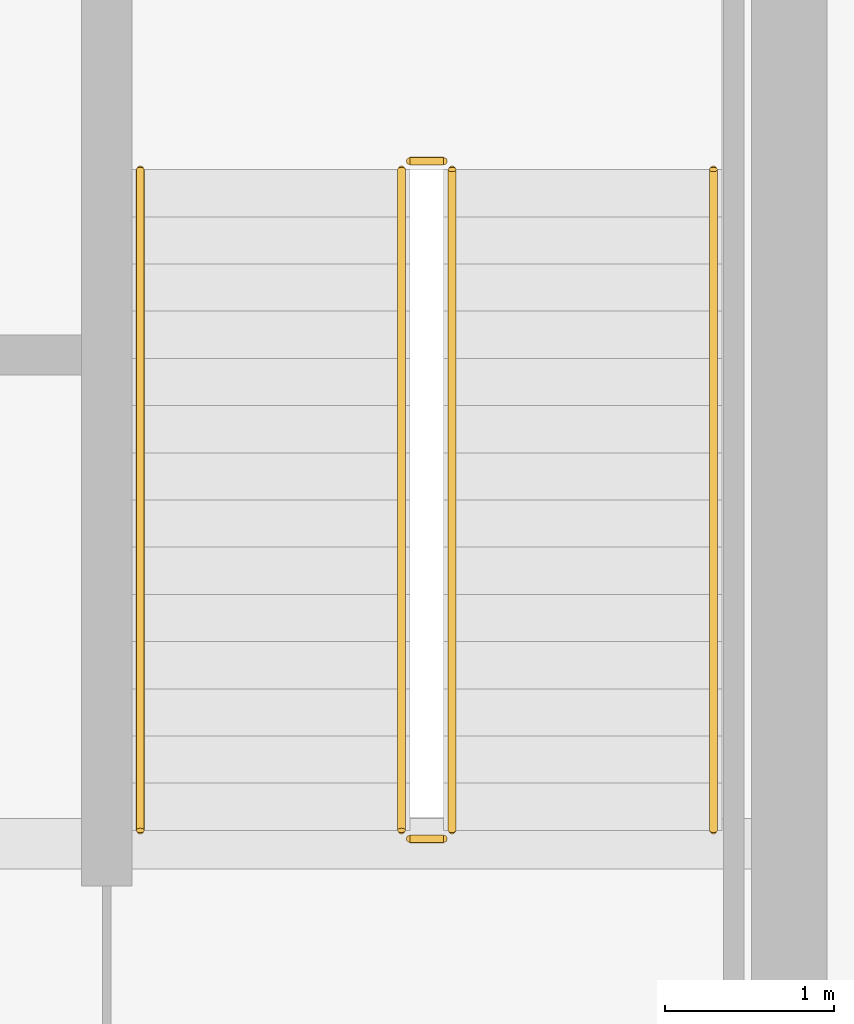
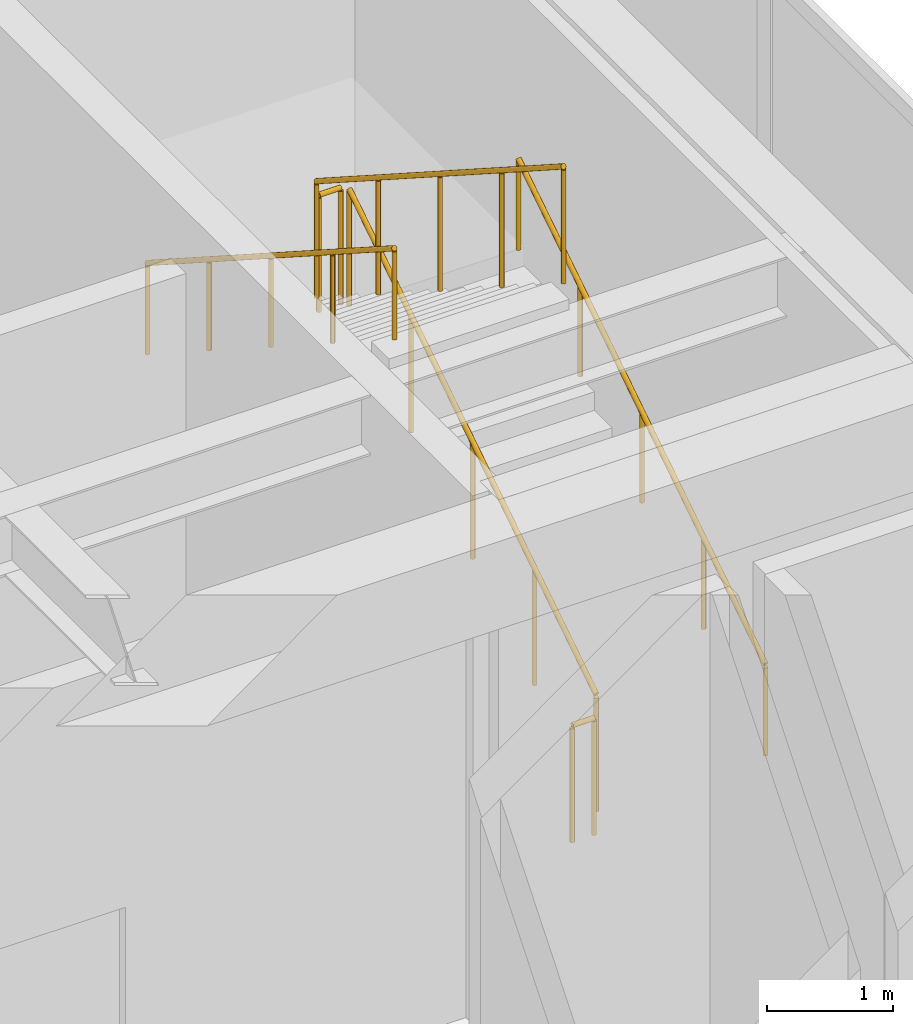
# One storey, part 29 of 30: 6 railings.
"""IFC4 building model written with IfcOpenShell, lengths in metres."""

from ifc_helpers import new_model, si_unit, direction, frame, origin, origin_2d, place, context, subcontext, project, spatial, circle, extrude, source, transform, mapped, material, type_object, type_shapes, element, save


model = new_model("IFC4")

# Units and contexts
model_context = context("Model", 3, precision=1e-05, world=origin(), true_north=direction((0.0, 1.0)))
body_context = subcontext(model_context, "Body", "Model", "MODEL_VIEW")
ifc_project = project(units=[si_unit("LENGTHUNIT", "METRE"), si_unit("AREAUNIT", "SQUARE_METRE"), si_unit("VOLUMEUNIT", "CUBIC_METRE"), si_unit("PLANEANGLEUNIT", "RADIAN"), si_unit("MASSUNIT", "GRAM", prefix="KILO")], contexts=[model_context])

# Site, building, storey
site_placement = place(None, origin())
site = spatial("IfcSite", under=ifc_project, at=site_placement, CompositionType="ELEMENT")
building_placement = place(site_placement, origin())
building = spatial("IfcBuilding", under=site, at=building_placement, Name="Haelvirn Gate Laboratories", CompositionType="ELEMENT")
storey_placement = place(building_placement, frame((0.0, 0.0, 327.0)))
storey = spatial("IfcBuildingStorey", under=building, at=storey_placement, Name="L78", CompositionType="ELEMENT", Elevation=327.0)

# Railings
ifc_material_1 = material(Name="Galvanised steel SM355 & stainless top rail", Category="steel")
railing_type_1 = type_object("IfcRailingType", Name="RL-GUARD-1150", PredefinedType="GUARDRAIL", material=ifc_material_1)
shared_shape_1 = source(origin(), body_context, "Body", "SweptSolid", [
    extrude(circle(Radius=0.02392578125, at=origin_2d()), frame((0.0, 0.0, 1.1259765625), z_axis=(0.0, 0.841186985886, 0.540744352514), x_axis=(-1.0, 0.0, 0.0)), (0.0, 0.0, 1.0), 4.660400390625),
    extrude(circle(Radius=0.02099609375, at=origin_2d()), origin(), (0.0, 0.0, 1.0), 1.101806640625),
    extrude(circle(Radius=0.02099609375, at=origin_2d()), frame((0.0, 0.97998046875, 0.6298828125)), (0.0, 0.0, 1.0), 1.101806640625),
    extrude(circle(Radius=0.02099609375, at=origin_2d()), frame((0.0, 1.9599609375, 1.260009765625)), (0.0, 0.0, 1.0), 1.101806640625),
    extrude(circle(Radius=0.02099609375, at=origin_2d()), frame((0.0, 2.940185546875, 1.89013671875)), (0.0, 0.0, 1.0), 1.101806640625),
    extrude(circle(Radius=0.02099609375, at=origin_2d()), frame((0.0, 3.920166015625, 2.52001953125)), (0.0, 0.0, 1.0), 1.101806640625),
])
railing_1_placement = place(storey_placement, frame((65.39990234375, 26.699951171875, 0.179931640625)))
element("IfcRailing", 1, at=railing_1_placement, inside=storey, type_object=railing_type_1, Name="L78 ST2 stair guard 1", PredefinedType="GUARDRAIL", context=body_context, shape_type="MappedRepresentation", body=[
    mapped(shared_shape_1, transform((0.0, 0.0, 0.0), scale=1.0)),
])
shared_shape_2 = source(origin(), body_context, "Body", "SweptSolid", [
    extrude(circle(Radius=0.02392578125, at=origin_2d()), frame((0.0, 0.0, 1.1259765625), z_axis=(0.0, -0.841186985886, 0.540744352514), x_axis=(1.0, 0.0, 0.0)), (0.0, 0.0, 1.0), 4.660400390625),
    extrude(circle(Radius=0.02099609375, at=origin_2d()), origin(), (0.0, 0.0, 1.0), 1.101806640625),
    extrude(circle(Radius=0.02099609375, at=origin_2d()), frame((0.0, -0.97998046875, 0.6298828125)), (0.0, 0.0, 1.0), 1.101806640625),
    extrude(circle(Radius=0.02099609375, at=origin_2d()), frame((0.0, -1.9599609375, 1.260009765625)), (0.0, 0.0, 1.0), 1.101806640625),
    extrude(circle(Radius=0.02099609375, at=origin_2d()), frame((0.0, -2.940185546875, 1.89013671875)), (0.0, 0.0, 1.0), 1.101806640625),
    extrude(circle(Radius=0.02099609375, at=origin_2d()), frame((0.0, -3.920166015625, 2.52001953125)), (0.0, 0.0, 1.0), 1.101806640625),
])
railing_2_placement = place(storey_placement, frame((65.10009765625, 30.6201171875, 2.8798828125)))
element("IfcRailing", 2, at=railing_2_placement, inside=storey, type_object=railing_type_1, Name="L78 ST2 stair guard 3", PredefinedType="GUARDRAIL", context=body_context, shape_type="MappedRepresentation", body=[
    mapped(shared_shape_2, transform((0.0, 0.0, 0.0), scale=1.0)),
])
ifc_material_2 = material(Name="Brushed stainless steel 316L", Category="steel")
railing_type_2 = type_object("IfcRailingType", Name="RL-HAND-920", PredefinedType="HANDRAIL", material=ifc_material_2)
shared_shape_3 = source(origin(), body_context, "Body", "SweptSolid", [
    extrude(circle(Radius=0.02392578125, at=origin_2d()), frame((0.0, 0.0, 0.8759765625), z_axis=(0.0, 0.841186985886, 0.540744352514), x_axis=(-1.0, 0.0, 0.0)), (0.0, 0.0, 1.0), 4.660400390625),
    extrude(circle(Radius=0.02099609375, at=origin_2d()), origin(), (0.0, 0.0, 1.0), 0.851806640625),
    extrude(circle(Radius=0.02099609375, at=origin_2d()), frame((0.0, 0.97998046875, 0.6298828125)), (0.0, 0.0, 1.0), 0.851806640625),
    extrude(circle(Radius=0.02099609375, at=origin_2d()), frame((0.0, 1.9599609375, 1.260009765625)), (0.0, 0.0, 1.0), 0.851806640625),
    extrude(circle(Radius=0.02099609375, at=origin_2d()), frame((0.0, 2.940185546875, 1.89013671875)), (0.0, 0.0, 1.0), 0.851806640625),
    extrude(circle(Radius=0.02099609375, at=origin_2d()), frame((0.0, 3.920166015625, 2.52001953125)), (0.0, 0.0, 1.0), 0.851806640625),
])
railing_3_placement = place(storey_placement, frame((66.949951171875, 26.699951171875, 0.179931640625)))
element("IfcRailing", 3, at=railing_3_placement, inside=storey, type_object=railing_type_2, Name="L78 ST2 stair handrail 1", PredefinedType="HANDRAIL", context=body_context, shape_type="MappedRepresentation", body=[
    mapped(shared_shape_3, transform((0.0, 0.0, 0.0), scale=1.0)),
])
shared_shape_4 = source(origin(), body_context, "Body", "SweptSolid", [
    extrude(circle(Radius=0.02392578125, at=origin_2d()), frame((0.0, 0.0, 0.8759765625), z_axis=(0.0, -0.841186985886, 0.540744352514), x_axis=(1.0, 0.0, 0.0)), (0.0, 0.0, 1.0), 4.660400390625),
    extrude(circle(Radius=0.02099609375, at=origin_2d()), origin(), (0.0, 0.0, 1.0), 0.851806640625),
    extrude(circle(Radius=0.02099609375, at=origin_2d()), frame((0.0, -0.97998046875, 0.6298828125)), (0.0, 0.0, 1.0), 0.851806640625),
    extrude(circle(Radius=0.02099609375, at=origin_2d()), frame((0.0, -1.9599609375, 1.260009765625)), (0.0, 0.0, 1.0), 0.851806640625),
    extrude(circle(Radius=0.02099609375, at=origin_2d()), frame((0.0, -2.940185546875, 1.89013671875)), (0.0, 0.0, 1.0), 0.851806640625),
    extrude(circle(Radius=0.02099609375, at=origin_2d()), frame((0.0, -3.920166015625, 2.52001953125)), (0.0, 0.0, 1.0), 0.851806640625),
])
type_shapes(railing_type_2, [shared_shape_3, shared_shape_4])
railing_4_placement = place(storey_placement, frame((63.550048828125, 30.6201171875, 2.8798828125)))
element("IfcRailing", 4, at=railing_4_placement, inside=storey, type_object=railing_type_2, Name="L78 ST2 stair handrail 2", PredefinedType="HANDRAIL", context=body_context, shape_type="MappedRepresentation", body=[
    mapped(shared_shape_4, transform((0.0, 0.0, 0.0), scale=1.0)),
])
shared_shape_5 = source(origin(), body_context, "Body", "SweptSolid", [
    extrude(circle(Radius=0.02392578125, at=origin_2d()), frame((0.0, 0.0, 1.1259765625), z_axis=(-1.0, 0.0, 0.0), x_axis=(0.0, -1.0, 0.0)), (0.0, 0.0, 1.0), 0.2001953125),
    extrude(circle(Radius=0.02099609375, at=origin_2d()), origin(), (0.0, 0.0, 1.0), 1.101806640625),
    extrude(circle(Radius=0.02099609375, at=origin_2d()), frame((-0.2001953125, 0.0, 0.0)), (0.0, 0.0, 1.0), 1.101806640625),
])
type_shapes(railing_type_1, [shared_shape_1, shared_shape_2, shared_shape_5])
for number, where, name in (
    (5, (65.35009765625, 30.669921875, 2.699951171875), "L78 ST2 stair guard 2"),
    (6, (65.35009765625, 26.64990234375, 0.0), "L78 ST2 stair guard 4"),
):
    element("IfcRailing", number, at=place(storey_placement, frame(where)), inside=storey, type_object=railing_type_1, Name=name, PredefinedType="GUARDRAIL", context=body_context, shape_type="MappedRepresentation", body=[
        mapped(shared_shape_5, transform((0.0, 0.0, 0.0), scale=1.0)),
    ])

save(model, "model.ifc")
